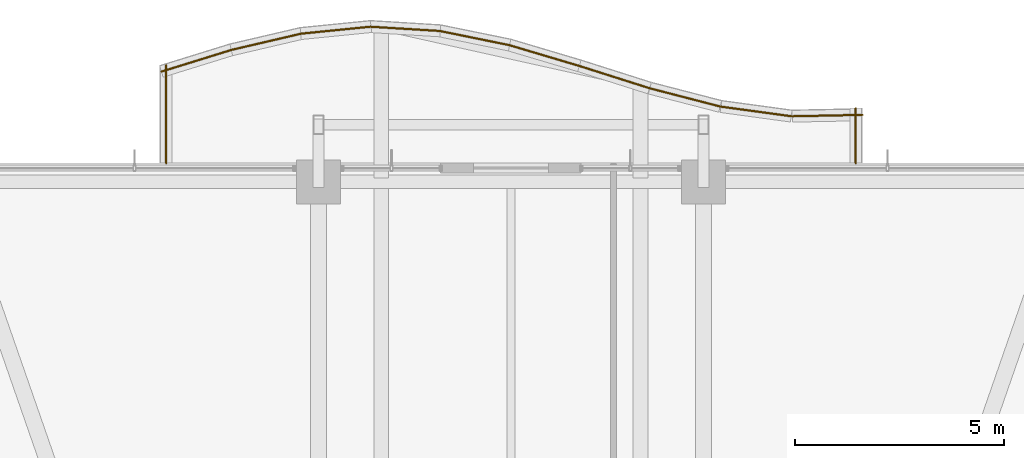
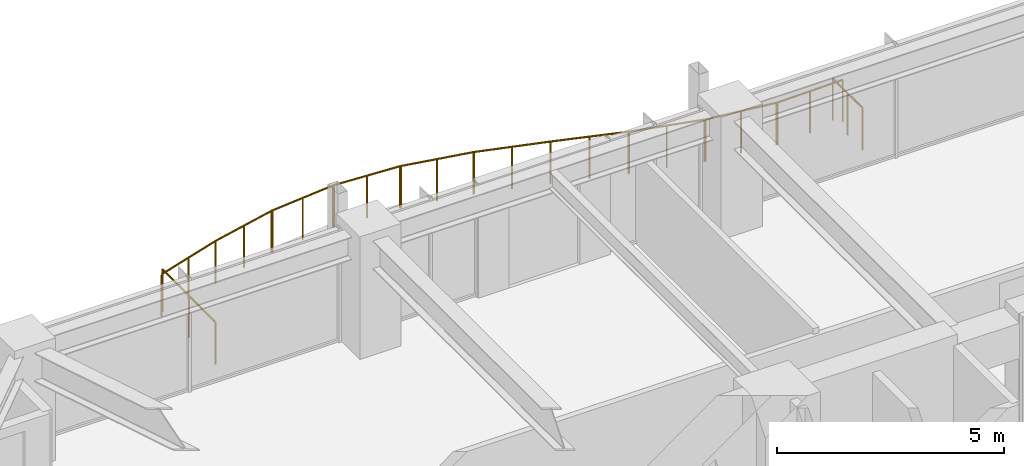
# One storey, part 38 of 38: 12 railings.
"""IFC4 building model written with IfcOpenShell, lengths in metres."""

from ifc_helpers import new_model, si_unit, direction, frame, origin, origin_2d, place, context, subcontext, project, spatial, circle, extrude, material, type_object, element, save


model = new_model("IFC4")

# Units and contexts
model_context = context("Model", 3, precision=1e-05, world=origin(), true_north=direction((0.0, 1.0)))
body_context = subcontext(model_context, "Body", "Model", "MODEL_VIEW")
ifc_project = project(units=[si_unit("LENGTHUNIT", "METRE"), si_unit("AREAUNIT", "SQUARE_METRE"), si_unit("VOLUMEUNIT", "CUBIC_METRE"), si_unit("PLANEANGLEUNIT", "RADIAN"), si_unit("MASSUNIT", "GRAM", prefix="KILO")], contexts=[model_context])

# Site, building, storey
site_placement = place(None, origin())
site = spatial("IfcSite", under=ifc_project, at=site_placement, CompositionType="ELEMENT")
building_placement = place(site_placement, origin())
building = spatial("IfcBuilding", under=site, at=building_placement, Name="Kolvaren Belvedere", CompositionType="ELEMENT")
storey_placement = place(building_placement, frame((0.0, 0.0, 72.199951171875)))
storey = spatial("IfcBuildingStorey", under=building, at=storey_placement, Name="L20", CompositionType="ELEMENT", Elevation=72.199951171875)

# Railings
ifc_material = material(Name="Anodised pale-metal aluminium & laminated glass guard", Category="aluminium")
railing_type = type_object("IfcRailingType", Name="RL-GUARD-1150", PredefinedType="GUARDRAIL", material=ifc_material)
railing_1_placement = place(storey_placement, frame((8.239990234375, 20.39990234375, 0.380126953125)))
element("IfcRailing", 1, at=railing_1_placement, inside=storey, type_object=railing_type, Name="L20 Exterior Deck Safety Guard BAL-N-11", PredefinedType="GUARDRAIL", context=body_context, shape_type="SweptSolid", body=[
    extrude(circle(Radius=0.02392578125, at=origin_2d()), frame((0.0, 0.0, 1.1259765625), z_axis=(0.0, 1.0, 0.0), x_axis=(-1.0, 0.0, 0.0)), (0.0, 0.0, 1.0), 1.31298828125),
    extrude(circle(Radius=0.02099609375, at=origin_2d()), origin(), (0.0, 0.0, 1.0), 1.101806640625),
    extrude(circle(Radius=0.02099609375, at=origin_2d()), frame((0.0, 0.656494140625, 0.0)), (0.0, 0.0, 1.0), 1.101806640625),
    extrude(circle(Radius=0.02099609375, at=origin_2d()), frame((0.0, 1.31298828125, 0.0)), (0.0, 0.0, 1.0), 1.101806640625),
])
railing_2_placement = place(storey_placement, frame((8.4033203125, 21.552978515625, 0.380126953125)))
element("IfcRailing", 2, at=railing_2_placement, inside=storey, type_object=railing_type, Name="L20 Exterior Deck Safety Guard BAL-N-12", PredefinedType="GUARDRAIL", context=body_context, shape_type="SweptSolid", body=[
    extrude(circle(Radius=0.02392578125, at=origin_2d()), frame((0.0, 0.0, 1.1259765625), z_axis=(-0.99979609052, -0.020193498486, 0.0), x_axis=(0.020193498486, -0.99979609052, 0.0)), (0.0, 0.0, 1.0), 1.680419921875),
    extrude(circle(Radius=0.02099609375, at=origin_2d()), origin(), (0.0, 0.0, 1.0), 1.101806640625),
    extrude(circle(Radius=0.02099609375, at=origin_2d()), frame((-0.840087890625, -0.01708984375, 0.0)), (0.0, 0.0, 1.0), 1.101806640625),
    extrude(circle(Radius=0.02099609375, at=origin_2d()), frame((-1.68017578125, -0.033935546875, 0.0)), (0.0, 0.0, 1.0), 1.101806640625),
])
railing_3_placement = place(storey_placement, frame((6.698486328125, 21.5205078125, 0.380126953125)))
element("IfcRailing", 3, at=railing_3_placement, inside=storey, type_object=railing_type, Name="L20 Exterior Deck Safety Guard BAL-N-13", PredefinedType="GUARDRAIL", context=body_context, shape_type="SweptSolid", body=[
    extrude(circle(Radius=0.02392578125, at=origin_2d()), frame((0.0, 0.0, 1.1259765625), z_axis=(-0.990858183042, 0.134907602079, 0.0), x_axis=(-0.134907602079, -0.990858183042, 0.0)), (0.0, 0.0, 1.0), 1.695556640625),
    extrude(circle(Radius=0.02099609375, at=origin_2d()), origin(), (0.0, 0.0, 1.0), 1.101806640625),
    extrude(circle(Radius=0.02099609375, at=origin_2d()), frame((-0.840087890625, 0.1142578125, 0.0)), (0.0, 0.0, 1.0), 1.101806640625),
    extrude(circle(Radius=0.02099609375, at=origin_2d()), frame((-1.68017578125, 0.228759765625, 0.0)), (0.0, 0.0, 1.0), 1.101806640625),
])
railing_4_placement = place(storey_placement, frame((5.0, 21.7529296875, 0.380126953125)))
element("IfcRailing", 4, at=railing_4_placement, inside=storey, type_object=railing_type, Name="L20 Exterior Deck Safety Guard BAL-N-14", PredefinedType="GUARDRAIL", context=body_context, shape_type="SweptSolid", body=[
    extrude(circle(Radius=0.02392578125, at=origin_2d()), frame((0.0, 0.0, 1.1259765625), z_axis=(-0.968141031826, 0.250405556038, 0.0), x_axis=(-0.250405556038, -0.968141031826, 0.0)), (0.0, 0.0, 1.0), 1.7353515625),
    extrude(circle(Radius=0.02099609375, at=origin_2d()), origin(), (0.0, 0.0, 1.0), 1.101806640625),
    extrude(circle(Radius=0.02099609375, at=origin_2d()), frame((-0.840087890625, 0.21728515625, 0.0)), (0.0, 0.0, 1.0), 1.101806640625),
    extrude(circle(Radius=0.02099609375, at=origin_2d()), frame((-1.68017578125, 0.4345703125, 0.0)), (0.0, 0.0, 1.0), 1.101806640625),
])
railing_5_placement = place(storey_placement, frame((3.3115234375, 22.18994140625, 0.380126953125)))
element("IfcRailing", 5, at=railing_5_placement, inside=storey, type_object=railing_type, Name="L20 Exterior Deck Safety Guard BAL-N-15", PredefinedType="GUARDRAIL", context=body_context, shape_type="SweptSolid", body=[
    extrude(circle(Radius=0.02392578125, at=origin_2d()), frame((0.0, 0.0, 1.1259765625), z_axis=(-0.953181954832, 0.302397356111, 0.0), x_axis=(-0.302397356111, -0.953181954832, 0.0)), (0.0, 0.0, 1.0), 1.762451171875),
    extrude(circle(Radius=0.02099609375, at=origin_2d()), origin(), (0.0, 0.0, 1.0), 1.101806640625),
    extrude(circle(Radius=0.02099609375, at=origin_2d()), frame((-0.83984375, 0.2666015625, 0.0)), (0.0, 0.0, 1.0), 1.101806640625),
    extrude(circle(Radius=0.02099609375, at=origin_2d()), frame((-1.679931640625, 0.532958984375, 0.0)), (0.0, 0.0, 1.0), 1.101806640625),
])
railing_6_placement = place(storey_placement, frame((1.634521484375, 22.721923828125, 0.380126953125)))
element("IfcRailing", 6, at=railing_6_placement, inside=storey, type_object=railing_type, Name="L20 Exterior Deck Safety Guard BAL-N-16", PredefinedType="GUARDRAIL", context=body_context, shape_type="SweptSolid", body=[
    extrude(circle(Radius=0.02392578125, at=origin_2d()), frame((0.0, 0.0, 1.1259765625), z_axis=(-0.958536356279, 0.284970268083, 0.0), x_axis=(-0.284970268083, -0.958536356279, 0.0)), (0.0, 0.0, 1.0), 1.7529296875),
    extrude(circle(Radius=0.02099609375, at=origin_2d()), origin(), (0.0, 0.0, 1.0), 1.101806640625),
    extrude(circle(Radius=0.02099609375, at=origin_2d()), frame((-0.840087890625, 0.249755859375, 0.0)), (0.0, 0.0, 1.0), 1.101806640625),
    extrude(circle(Radius=0.02099609375, at=origin_2d()), frame((-1.68017578125, 0.49951171875, 0.0)), (0.0, 0.0, 1.0), 1.101806640625),
])
railing_7_placement = place(storey_placement, frame((-0.031982421875, 23.218017578125, 0.380126953125)))
element("IfcRailing", 7, at=railing_7_placement, inside=storey, type_object=railing_type, Name="L20 Exterior Deck Safety Guard BAL-N-17", PredefinedType="GUARDRAIL", context=body_context, shape_type="SweptSolid", body=[
    extrude(circle(Radius=0.02392578125, at=origin_2d()), frame((0.0, 0.0, 1.1259765625), z_axis=(-0.979867779516, 0.199647526069, 0.0), x_axis=(-0.199647526069, -0.979867779516, 0.0)), (0.0, 0.0, 1.0), 1.71435546875),
    extrude(circle(Radius=0.02099609375, at=origin_2d()), origin(), (0.0, 0.0, 1.0), 1.101806640625),
    extrude(circle(Radius=0.02099609375, at=origin_2d()), frame((-0.83984375, 0.171142578125, 0.0)), (0.0, 0.0, 1.0), 1.101806640625),
    extrude(circle(Radius=0.02099609375, at=origin_2d()), frame((-1.679931640625, 0.34228515625, 0.0)), (0.0, 0.0, 1.0), 1.101806640625),
])
railing_8_placement = place(storey_placement, frame((-1.689697265625, 23.5576171875, 0.380126953125)))
element("IfcRailing", 8, at=railing_8_placement, inside=storey, type_object=railing_type, Name="L20 Exterior Deck Safety Guard BAL-N-18", PredefinedType="GUARDRAIL", context=body_context, shape_type="SweptSolid", body=[
    extrude(circle(Radius=0.02392578125, at=origin_2d()), frame((0.0, 0.0, 1.1259765625), z_axis=(-0.998134101522, 0.061059932685, 0.0), x_axis=(-0.061059932685, -0.998134101522, 0.0)), (0.0, 0.0, 1.0), 1.683349609375),
    extrude(circle(Radius=0.02099609375, at=origin_2d()), origin(), (0.0, 0.0, 1.0), 1.101806640625),
    extrude(circle(Radius=0.02099609375, at=origin_2d()), frame((-0.840087890625, 0.05126953125, 0.0)), (0.0, 0.0, 1.0), 1.101806640625),
    extrude(circle(Radius=0.02099609375, at=origin_2d()), frame((-1.68017578125, 0.102783203125, 0.0)), (0.0, 0.0, 1.0), 1.101806640625),
])
railing_9_placement = place(storey_placement, frame((-3.343994140625, 23.660888671875, 0.380126953125)))
element("IfcRailing", 9, at=railing_9_placement, inside=storey, type_object=railing_type, Name="L20 Exterior Deck Safety Guard BAL-N-19", PredefinedType="GUARDRAIL", context=body_context, shape_type="SweptSolid", body=[
    extrude(circle(Radius=0.02392578125, at=origin_2d()), frame((0.0, 0.0, 1.1259765625), z_axis=(-0.995025731437, -0.099618240186, 0.0), x_axis=(0.099618240186, -0.995025731437, 0.0)), (0.0, 0.0, 1.0), 1.6884765625),
    extrude(circle(Radius=0.02099609375, at=origin_2d()), origin(), (0.0, 0.0, 1.0), 1.101806640625),
    extrude(circle(Radius=0.02099609375, at=origin_2d()), frame((-0.840087890625, -0.083984375, 0.0)), (0.0, 0.0, 1.0), 1.101806640625),
    extrude(circle(Radius=0.02099609375, at=origin_2d()), frame((-1.68017578125, -0.168212890625, 0.0)), (0.0, 0.0, 1.0), 1.101806640625),
])
railing_10_placement = place(storey_placement, frame((-5.003662109375, 23.49609375, 0.380126953125)))
element("IfcRailing", 10, at=railing_10_placement, inside=storey, type_object=railing_type, Name="L20 Exterior Deck Safety Guard BAL-N-20", PredefinedType="GUARDRAIL", context=body_context, shape_type="SweptSolid", body=[
    extrude(circle(Radius=0.02392578125, at=origin_2d()), frame((0.0, 0.0, 1.1259765625), z_axis=(-0.973890253884, -0.227019323824, 0.0), x_axis=(0.227019323824, -0.973890253884, 0.0)), (0.0, 0.0, 1.0), 1.724853515625),
    extrude(circle(Radius=0.02099609375, at=origin_2d()), origin(), (0.0, 0.0, 1.0), 1.101806640625),
    extrude(circle(Radius=0.02099609375, at=origin_2d()), frame((-0.83984375, -0.19580078125, 0.0)), (0.0, 0.0, 1.0), 1.101806640625),
    extrude(circle(Radius=0.02099609375, at=origin_2d()), frame((-1.679931640625, -0.3916015625, 0.0)), (0.0, 0.0, 1.0), 1.101806640625),
])
railing_11_placement = place(storey_placement, frame((-6.672607421875, 23.107421875, 0.380126953125)))
element("IfcRailing", 11, at=railing_11_placement, inside=storey, type_object=railing_type, Name="L20 Exterior Deck Safety Guard BAL-N-21", PredefinedType="GUARDRAIL", context=body_context, shape_type="SweptSolid", body=[
    extrude(circle(Radius=0.02392578125, at=origin_2d()), frame((0.0, 0.0, 1.1259765625), z_axis=(-0.955252278476, -0.29579229954, 0.0), x_axis=(0.29579229954, -0.955252278476, 0.0)), (0.0, 0.0, 1.0), 1.7587890625),
    extrude(circle(Radius=0.02099609375, at=origin_2d()), origin(), (0.0, 0.0, 1.0), 1.101806640625),
    extrude(circle(Radius=0.02099609375, at=origin_2d()), frame((-0.840087890625, -0.26025390625, 0.0)), (0.0, 0.0, 1.0), 1.101806640625),
    extrude(circle(Radius=0.02099609375, at=origin_2d()), frame((-1.68017578125, -0.520263671875, 0.0)), (0.0, 0.0, 1.0), 1.101806640625),
])
railing_12_placement = place(storey_placement, frame((-8.239990234375, 22.739990234375, 0.380126953125)))
element("IfcRailing", 12, at=railing_12_placement, inside=storey, type_object=railing_type, Name="L20 Exterior Deck Safety Guard BAL-N-22", PredefinedType="GUARDRAIL", context=body_context, shape_type="SweptSolid", body=[
    extrude(circle(Radius=0.02392578125, at=origin_2d()), frame((0.0, 0.0, 1.1259765625), z_axis=(0.0, -1.0, 0.0), x_axis=(1.0, 0.0, 0.0)), (0.0, 0.0, 1.0), 2.340087890625),
    extrude(circle(Radius=0.02099609375, at=origin_2d()), origin(), (0.0, 0.0, 1.0), 1.101806640625),
    extrude(circle(Radius=0.02099609375, at=origin_2d()), frame((0.0, -1.169921875, 0.0)), (0.0, 0.0, 1.0), 1.101806640625),
    extrude(circle(Radius=0.02099609375, at=origin_2d()), frame((0.0, -2.340087890625, 0.0)), (0.0, 0.0, 1.0), 1.101806640625),
])

save(model, "model.ifc")
